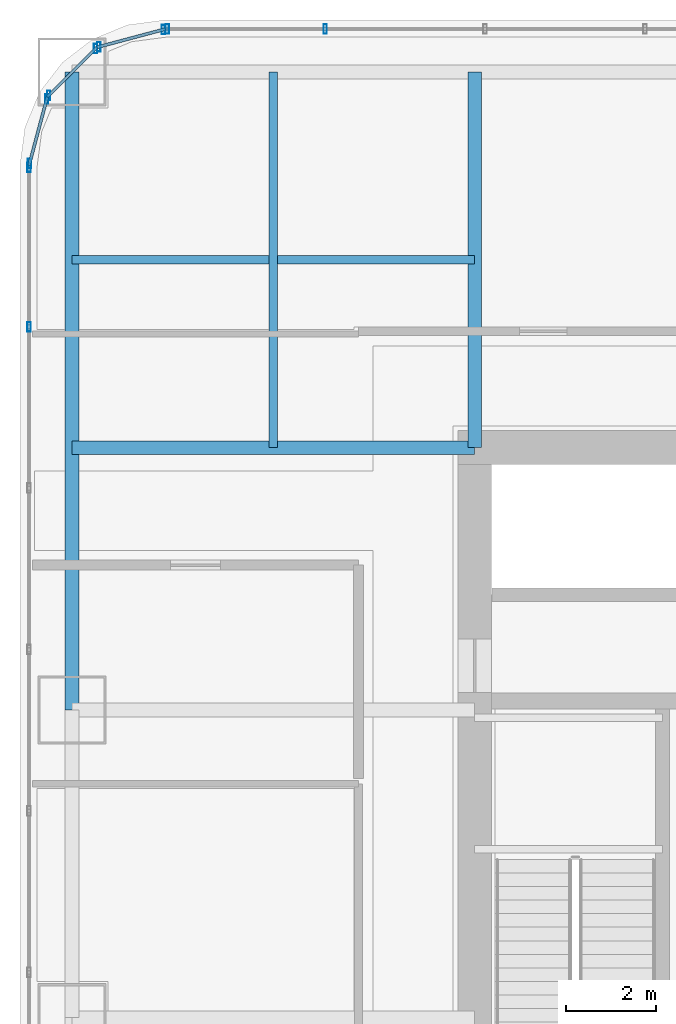
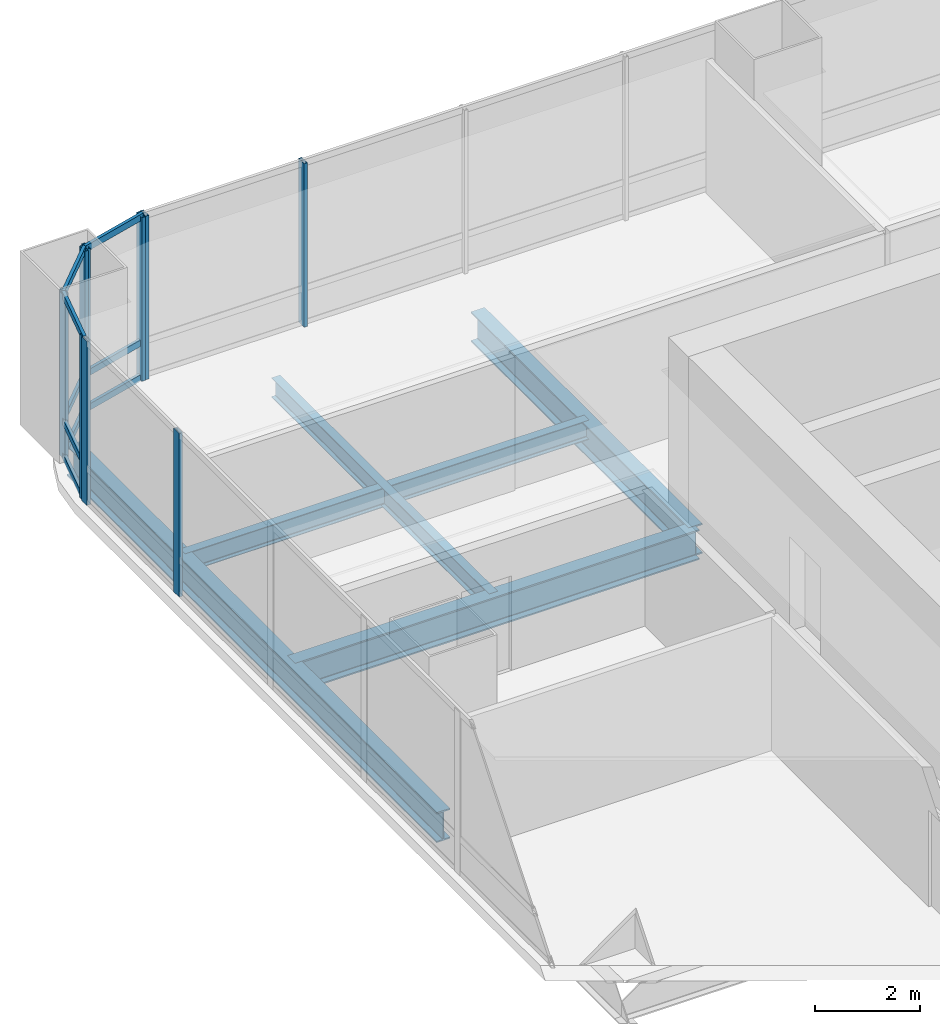
# One storey, part 18 of 34: 19 members, 5 beams, 5 elements without a shape of their own.
"""IFC4 building model written with IfcOpenShell, lengths in metres."""

from ifc_helpers import new_model, si_unit, direction, frame, origin, origin_2d, place, context, subcontext, project, spatial, hollow_rectangle, i_section, extrude, material, material_profile, profile_set, type_object, element, aggregate, save


model = new_model("IFC4")

# Units and contexts
model_context = context("Model", 3, precision=1e-05, world=origin(), true_north=direction((0.0, 1.0)))
body_context = subcontext(model_context, "Body", "Model", "MODEL_VIEW")
ifc_project = project(units=[si_unit("LENGTHUNIT", "METRE"), si_unit("AREAUNIT", "SQUARE_METRE"), si_unit("VOLUMEUNIT", "CUBIC_METRE"), si_unit("PLANEANGLEUNIT", "RADIAN"), si_unit("MASSUNIT", "GRAM", prefix="KILO")], contexts=[model_context])

# Site, building, storey
site_placement = place(None, origin())
site = spatial("IfcSite", under=ifc_project, at=site_placement, CompositionType="ELEMENT")
building_placement = place(site_placement, origin())
building = spatial("IfcBuilding", under=site, at=building_placement, Name="Punatoya Terracotta Tower", CompositionType="ELEMENT")
storey_placement = place(building_placement, frame((0.0, 0.0, 84.89990234375)))
storey = spatial("IfcBuildingStorey", under=building, at=storey_placement, Name="L19", CompositionType="ELEMENT", Elevation=84.89990234375)

# Beams
ifc_material_1 = material(Name="Steel S355", Category="steel")
ifc_material_profile_1 = material_profile(ifc_material_1, i_section(OverallWidth=0.300048828125, OverallDepth=0.699951171875, WebThickness=0.01708984375, FlangeThickness=0.031982421875, FilletRadius=0.01806640625, at=origin_2d()))
ifc_profile_set_1 = profile_set([ifc_material_profile_1], Name="Steel S355")
beam_type_1 = type_object("IfcBeamType", Name="BM-PRI-700", PredefinedType="BEAM", material=ifc_profile_set_1)
beam_1_placement = place(storey_placement, frame((-19.10009765625, 3.39990234375, -0.58984375), z_axis=(0.0, 1.0, 0.0), x_axis=(-1.0, 0.0, 0.0)))
element("IfcBeam", 1, at=beam_1_placement, inside=storey, type_object=beam_type_1, Name="BM-L19-RG-W3", PredefinedType="BEAM", context=body_context, shape_type="SweptSolid", body=[
    extrude(i_section(OverallWidth=0.300048828125, OverallDepth=0.699951171875, WebThickness=0.01708984375, FlangeThickness=0.031982421875, FilletRadius=0.01806640625, at=origin_2d()), origin(), (0.0, 0.0, 1.0), 14.10009765625),
])
beam_2_placement = place(storey_placement, frame((-19.10009765625, 9.199951171875, -0.58984375), z_axis=(1.0, 0.0, 0.0), x_axis=(0.0, 1.0, 0.0)))
element("IfcBeam", 2, at=beam_2_placement, inside=storey, type_object=beam_type_1, Name="BM-L19-PR-WN", PredefinedType="BEAM", context=body_context, shape_type="SweptSolid", body=[
    extrude(i_section(OverallWidth=0.300048828125, OverallDepth=0.699951171875, WebThickness=0.01708984375, FlangeThickness=0.031982421875, FilletRadius=0.01806640625, at=origin_2d()), origin(), (0.0, 0.0, 1.0), 8.900146484375),
])
beam_3_placement = place(storey_placement, frame((-10.199951171875, 9.199951171875, -0.58984375), z_axis=(0.0, 1.0, 0.0), x_axis=(-1.0, 0.0, 0.0)))
element("IfcBeam", 3, at=beam_3_placement, inside=storey, type_object=beam_type_1, Name="BM-L19-PR-N1", PredefinedType="BEAM", context=body_context, shape_type="SweptSolid", body=[
    extrude(i_section(OverallWidth=0.300048828125, OverallDepth=0.699951171875, WebThickness=0.01708984375, FlangeThickness=0.031982421875, FilletRadius=0.01806640625, at=origin_2d()), origin(), (0.0, 0.0, 1.0), 8.300048828125),
])
ifc_material_profile_2 = material_profile(ifc_material_1, i_section(OverallWidth=0.18994140625, OverallDepth=0.449951171875, WebThickness=0.009521484375, FlangeThickness=0.0146484375, FilletRadius=0.01806640625, at=origin_2d()))
ifc_profile_set_2 = profile_set([ifc_material_profile_2], Name="Steel S355")
beam_type_2 = type_object("IfcBeamType", Name="BM-SEC-450", PredefinedType="JOIST", material=ifc_profile_set_2)
beam_4_placement = place(storey_placement, frame((-19.10009765625, 13.35009765625, -0.46484375), z_axis=(1.0, 0.0, 0.0), x_axis=(0.0, 1.0, 0.0)))
element("IfcBeam", 4, at=beam_4_placement, inside=storey, type_object=beam_type_2, Name="BM-L19-SJN-1", PredefinedType="JOIST", context=body_context, shape_type="SweptSolid", body=[
    extrude(i_section(OverallWidth=0.18994140625, OverallDepth=0.449951171875, WebThickness=0.009521484375, FlangeThickness=0.0146484375, FilletRadius=0.01806640625, at=origin_2d()), origin(), (0.0, 0.0, 1.0), 8.900146484375),
])
beam_5_placement = place(storey_placement, frame((-14.64990234375, 9.199951171875, -0.46484375), z_axis=(0.0, 1.0, 0.0), x_axis=(-1.0, 0.0, 0.0)))
element("IfcBeam", 5, at=beam_5_placement, inside=storey, type_object=beam_type_2, Name="BM-L19-SJW-2", PredefinedType="JOIST", context=body_context, shape_type="SweptSolid", body=[
    extrude(i_section(OverallWidth=0.18994140625, OverallDepth=0.449951171875, WebThickness=0.009521484375, FlangeThickness=0.0146484375, FilletRadius=0.01806640625, at=origin_2d()), origin(), (0.0, 0.0, 1.0), 8.300048828125),
])

# Curtain wall, members
ifc_material_2 = material(Name="Aluminium 6063-T6 + Double Low-E Glass", Category="aluminium")
curtain_wall_type = type_object("IfcCurtainWallType", Name="CW-M1", PredefinedType="NOTDEFINED", material=ifc_material_2)
curtain_wall_1_placement = place(storey_placement, origin())
curtain_wall_1 = element("IfcCurtainWall", 6, at=curtain_wall_1_placement, inside=storey, type_object=curtain_wall_type, Name="L19 Curtain Wall CW-L19-N09-1", PredefinedType="NOTDEFINED")
ifc_material_3 = material(Name="Aluminium 6063-T6", Category="aluminium")
ifc_material_profile_3 = material_profile(ifc_material_3, hollow_rectangle(XDim=0.074951171875, YDim=0.2099609375, WallThickness=0.00439453125, at=origin_2d()))
ifc_profile_set_3 = profile_set([ifc_material_profile_3], Name="Aluminium 6063-T6")
member_type_1 = type_object("IfcMemberType", Name="CW-MUL-M1", PredefinedType="MULLION", material=ifc_profile_set_3)
member_1_placement = place(storey_placement, frame((-13.5029296875, 18.449951171875, 0.0), z_axis=(0.0, 0.0, 1.0), x_axis=(1.0, 0.0, 0.0)))
member_1 = element("IfcMember", 7, at=member_1_placement, type_object=member_type_1, Name="CW-L19-N09-1 Mullion 10", PredefinedType="MULLION", context=body_context, shape_type="SweptSolid", body=[
    extrude(hollow_rectangle(XDim=0.074951171875, YDim=0.2099609375, WallThickness=0.00439453125, at=origin_2d()), origin(), (0.0, 0.0, 1.0), 3.81005859375),
])
member_2_placement = place(storey_placement, frame((-16.991943359375, 18.449951171875, 0.0), z_axis=(0.0, 0.0, 1.0), x_axis=(1.0, 0.0, 0.0)))
member_2 = element("IfcMember", 8, at=member_2_placement, type_object=member_type_1, Name="CW-L19-N09-1 Mullion 11", PredefinedType="MULLION", context=body_context, shape_type="SweptSolid", body=[
    extrude(hollow_rectangle(XDim=0.074951171875, YDim=0.2099609375, WallThickness=0.00439453125, at=origin_2d()), origin(), (0.0, 0.0, 1.0), 3.81005859375),
])
aggregate(curtain_wall_1, [member_1, member_2])

curtain_wall_2_placement = place(storey_placement, origin())
curtain_wall_2 = element("IfcCurtainWall", 9, at=curtain_wall_2_placement, inside=storey, type_object=curtain_wall_type, Name="L19 Curtain Wall CW-L19-CRN10", PredefinedType="NOTDEFINED")
member_3_placement = place(storey_placement, frame((-17.080322265625, 18.4384765625, 0.0), z_axis=(0.0, 0.0, 1.0), x_axis=(1.0, 0.0, 0.0)))
member_3 = element("IfcMember", 10, at=member_3_placement, type_object=member_type_1, Name="CW-L19-CRN10 Mullion 00", PredefinedType="MULLION", context=body_context, shape_type="SweptSolid", body=[
    extrude(hollow_rectangle(XDim=0.074951171875, YDim=0.2099609375, WallThickness=0.00439453125, at=origin_2d()), origin(), (0.0, 0.0, 1.0), 3.81005859375),
])
member_4_placement = place(storey_placement, frame((-18.505615234375, 18.05810546875, 0.0), z_axis=(0.0, 0.0, 1.0), x_axis=(1.0, 0.0, 0.0)))
member_4 = element("IfcMember", 11, at=member_4_placement, type_object=member_type_1, Name="CW-L19-CRN10 Mullion 01", PredefinedType="MULLION", context=body_context, shape_type="SweptSolid", body=[
    extrude(hollow_rectangle(XDim=0.074951171875, YDim=0.2099609375, WallThickness=0.00439453125, at=origin_2d()), origin(), (0.0, 0.0, 1.0), 3.81005859375),
])

curtain_wall_3_placement = place(storey_placement, origin())
curtain_wall_3 = element("IfcCurtainWall", 12, at=curtain_wall_3_placement, inside=storey, type_object=curtain_wall_type, Name="L19 Curtain Wall CW-L19-CRN11", PredefinedType="NOTDEFINED")
member_5_placement = place(storey_placement, frame((-18.580810546875, 18.014892578125, 0.0), z_axis=(0.0, 0.0, 1.0), x_axis=(1.0, 0.0, 0.0)))
member_5 = element("IfcMember", 13, at=member_5_placement, type_object=member_type_1, Name="CW-L19-CRN11 Mullion 00", PredefinedType="MULLION", context=body_context, shape_type="SweptSolid", body=[
    extrude(hollow_rectangle(XDim=0.074951171875, YDim=0.2099609375, WallThickness=0.00439453125, at=origin_2d()), origin(), (0.0, 0.0, 1.0), 3.81005859375),
])
member_6_placement = place(storey_placement, frame((-19.61474609375, 16.98095703125, 0.0), z_axis=(0.0, 0.0, 1.0), x_axis=(1.0, 0.0, 0.0)))
member_6 = element("IfcMember", 14, at=member_6_placement, type_object=member_type_1, Name="CW-L19-CRN11 Mullion 01", PredefinedType="MULLION", context=body_context, shape_type="SweptSolid", body=[
    extrude(hollow_rectangle(XDim=0.074951171875, YDim=0.2099609375, WallThickness=0.00439453125, at=origin_2d()), origin(), (0.0, 0.0, 1.0), 3.81005859375),
])

curtain_wall_4_placement = place(storey_placement, origin())
curtain_wall_4 = element("IfcCurtainWall", 15, at=curtain_wall_4_placement, inside=storey, type_object=curtain_wall_type, Name="L19 Curtain Wall CW-L19-CRN12", PredefinedType="NOTDEFINED")
member_7_placement = place(storey_placement, frame((-19.658203125, 16.905517578125, 0.0), z_axis=(0.0, 0.0, 1.0), x_axis=(1.0, 0.0, 0.0)))
member_7 = element("IfcMember", 16, at=member_7_placement, type_object=member_type_1, Name="CW-L19-CRN12 Mullion 00", PredefinedType="MULLION", context=body_context, shape_type="SweptSolid", body=[
    extrude(hollow_rectangle(XDim=0.074951171875, YDim=0.2099609375, WallThickness=0.00439453125, at=origin_2d()), origin(), (0.0, 0.0, 1.0), 3.81005859375),
])
member_8_placement = place(storey_placement, frame((-20.038330078125, 15.48046875, 0.0), z_axis=(0.0, 0.0, 1.0), x_axis=(1.0, 0.0, 0.0)))
member_8 = element("IfcMember", 17, at=member_8_placement, type_object=member_type_1, Name="CW-L19-CRN12 Mullion 01", PredefinedType="MULLION", context=body_context, shape_type="SweptSolid", body=[
    extrude(hollow_rectangle(XDim=0.074951171875, YDim=0.2099609375, WallThickness=0.00439453125, at=origin_2d()), origin(), (0.0, 0.0, 1.0), 3.81005859375),
])

curtain_wall_5_placement = place(storey_placement, origin())
curtain_wall_5 = element("IfcCurtainWall", 18, at=curtain_wall_5_placement, inside=storey, type_object=curtain_wall_type, Name="L19 Curtain Wall CW-L19-W13-1", PredefinedType="NOTDEFINED")
member_9_placement = place(storey_placement, frame((-20.050048828125, 15.391845703125, 0.0), z_axis=(0.0, 0.0, 1.0), x_axis=(1.0, 0.0, 0.0)))
member_9 = element("IfcMember", 19, at=member_9_placement, type_object=member_type_1, Name="CW-L19-W13-1 Mullion 00", PredefinedType="MULLION", context=body_context, shape_type="SweptSolid", body=[
    extrude(hollow_rectangle(XDim=0.074951171875, YDim=0.2099609375, WallThickness=0.00439453125, at=origin_2d()), origin(), (0.0, 0.0, 1.0), 3.81005859375),
])
member_10_placement = place(storey_placement, frame((-20.050048828125, 11.869384765625, 0.0), z_axis=(0.0, 0.0, 1.0), x_axis=(1.0, 0.0, 0.0)))
member_10 = element("IfcMember", 20, at=member_10_placement, type_object=member_type_1, Name="CW-L19-W13-1 Mullion 01", PredefinedType="MULLION", context=body_context, shape_type="SweptSolid", body=[
    extrude(hollow_rectangle(XDim=0.074951171875, YDim=0.2099609375, WallThickness=0.00439453125, at=origin_2d()), origin(), (0.0, 0.0, 1.0), 3.81005859375),
])
aggregate(curtain_wall_5, [member_9, member_10])

# Member
ifc_material_profile_4 = material_profile(ifc_material_3, hollow_rectangle(XDim=0.068115234375, YDim=0.14990234375, WallThickness=0.00390625, at=origin_2d()))
ifc_profile_set_4 = profile_set([ifc_material_profile_4], Name="Aluminium 6063-T6")
member_type_2 = type_object("IfcMemberType", Name="CW-TRN-TYP", PredefinedType="USERDEFINED", material=ifc_profile_set_4)
member_11_placement = place(storey_placement, frame((-17.036865234375, 18.449951171875, 0.0400390625), z_axis=(-0.966224582397, -0.257701486942, 0.0), x_axis=(0.257701486942, -0.966224582397, 0.0)))
member_11 = element("IfcMember", 21, at=member_11_placement, type_object=member_type_2, Name="CW-L19-CRN10 Transom 1", ObjectType="TRANSOM", PredefinedType="USERDEFINED", context=body_context, shape_type="SweptSolid", body=[
    extrude(hollow_rectangle(XDim=0.068115234375, YDim=0.14990234375, WallThickness=0.00390625, at=origin_2d()), origin(), (0.0, 0.0, 1.0), 1.565185546875),
])

member_12_placement = place(storey_placement, frame((-17.036865234375, 18.449951171875, 0.85009765625), z_axis=(-0.966224582397, -0.257701486942, 0.0), x_axis=(0.257701486942, -0.966224582397, 0.0)))
member_12 = element("IfcMember", 22, at=member_12_placement, type_object=member_type_2, Name="CW-L19-CRN10 Transom 2", ObjectType="TRANSOM", PredefinedType="USERDEFINED", context=body_context, shape_type="SweptSolid", body=[
    extrude(hollow_rectangle(XDim=0.068115234375, YDim=0.14990234375, WallThickness=0.00390625, at=origin_2d()), origin(), (0.0, 0.0, 1.0), 1.565185546875),
])

member_13_placement = place(storey_placement, frame((-17.036865234375, 18.449951171875, 3.77001953125), z_axis=(-0.966224582397, -0.257701486942, 0.0), x_axis=(0.257701486942, -0.966224582397, 0.0)))
member_13 = element("IfcMember", 23, at=member_13_placement, type_object=member_type_2, Name="CW-L19-CRN10 Transom 3", ObjectType="TRANSOM", PredefinedType="USERDEFINED", context=body_context, shape_type="SweptSolid", body=[
    extrude(hollow_rectangle(XDim=0.068115234375, YDim=0.14990234375, WallThickness=0.00390625, at=origin_2d()), origin(), (0.0, 0.0, 1.0), 1.565185546875),
])

aggregate(curtain_wall_2, [member_3, member_4, member_11, member_12, member_13])

member_14_placement = place(storey_placement, frame((-18.549072265625, 18.046630859375, 0.0400390625), z_axis=(-0.707106781187, -0.707106781187, 0.0), x_axis=(0.707106781187, -0.707106781187, 0.0)))
member_14 = element("IfcMember", 24, at=member_14_placement, type_object=member_type_2, Name="CW-L19-CRN11 Transom 1", ObjectType="TRANSOM", PredefinedType="USERDEFINED", context=body_context, shape_type="SweptSolid", body=[
    extrude(hollow_rectangle(XDim=0.068115234375, YDim=0.14990234375, WallThickness=0.00390625, at=origin_2d()), origin(), (0.0, 0.0, 1.0), 1.552001953125),
])

member_15_placement = place(storey_placement, frame((-18.549072265625, 18.046630859375, 0.85009765625), z_axis=(-0.707106781187, -0.707106781187, 0.0), x_axis=(0.707106781187, -0.707106781187, 0.0)))
member_15 = element("IfcMember", 25, at=member_15_placement, type_object=member_type_2, Name="CW-L19-CRN11 Transom 2", ObjectType="TRANSOM", PredefinedType="USERDEFINED", context=body_context, shape_type="SweptSolid", body=[
    extrude(hollow_rectangle(XDim=0.068115234375, YDim=0.14990234375, WallThickness=0.00390625, at=origin_2d()), origin(), (0.0, 0.0, 1.0), 1.552001953125),
])

member_16_placement = place(storey_placement, frame((-18.549072265625, 18.046630859375, 3.77001953125), z_axis=(-0.707106781187, -0.707106781187, 0.0), x_axis=(0.707106781187, -0.707106781187, 0.0)))
member_16 = element("IfcMember", 26, at=member_16_placement, type_object=member_type_2, Name="CW-L19-CRN11 Transom 3", ObjectType="TRANSOM", PredefinedType="USERDEFINED", context=body_context, shape_type="SweptSolid", body=[
    extrude(hollow_rectangle(XDim=0.068115234375, YDim=0.14990234375, WallThickness=0.00390625, at=origin_2d()), origin(), (0.0, 0.0, 1.0), 1.552001953125),
])

aggregate(curtain_wall_3, [member_5, member_6, member_14, member_15, member_16])

member_17_placement = place(storey_placement, frame((-19.646484375, 16.94921875, 0.0400390625), z_axis=(-0.257847112249, -0.966185730957, 0.0), x_axis=(0.966185730957, -0.257847112249, 0.0)))
member_17 = element("IfcMember", 27, at=member_17_placement, type_object=member_type_2, Name="CW-L19-CRN12 Transom 1", ObjectType="TRANSOM", PredefinedType="USERDEFINED", context=body_context, shape_type="SweptSolid", body=[
    extrude(hollow_rectangle(XDim=0.068115234375, YDim=0.14990234375, WallThickness=0.00390625, at=origin_2d()), origin(), (0.0, 0.0, 1.0), 1.565185546875),
])

member_18_placement = place(storey_placement, frame((-19.646484375, 16.94921875, 0.85009765625), z_axis=(-0.257847112249, -0.966185730957, 0.0), x_axis=(0.966185730957, -0.257847112249, 0.0)))
member_18 = element("IfcMember", 28, at=member_18_placement, type_object=member_type_2, Name="CW-L19-CRN12 Transom 2", ObjectType="TRANSOM", PredefinedType="USERDEFINED", context=body_context, shape_type="SweptSolid", body=[
    extrude(hollow_rectangle(XDim=0.068115234375, YDim=0.14990234375, WallThickness=0.00390625, at=origin_2d()), origin(), (0.0, 0.0, 1.0), 1.565185546875),
])

member_19_placement = place(storey_placement, frame((-19.646484375, 16.94921875, 3.77001953125), z_axis=(-0.257847112249, -0.966185730957, 0.0), x_axis=(0.966185730957, -0.257847112249, 0.0)))
member_19 = element("IfcMember", 29, at=member_19_placement, type_object=member_type_2, Name="CW-L19-CRN12 Transom 3", ObjectType="TRANSOM", PredefinedType="USERDEFINED", context=body_context, shape_type="SweptSolid", body=[
    extrude(hollow_rectangle(XDim=0.068115234375, YDim=0.14990234375, WallThickness=0.00390625, at=origin_2d()), origin(), (0.0, 0.0, 1.0), 1.565185546875),
])

aggregate(curtain_wall_4, [member_7, member_8, member_17, member_18, member_19])

save(model, "model.ifc")
